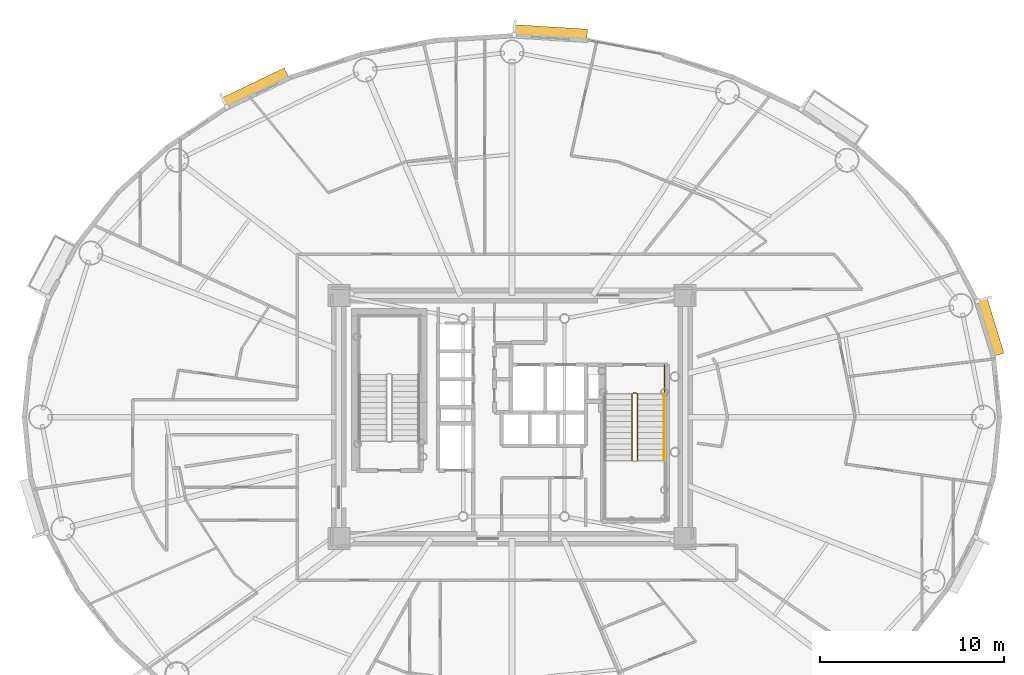
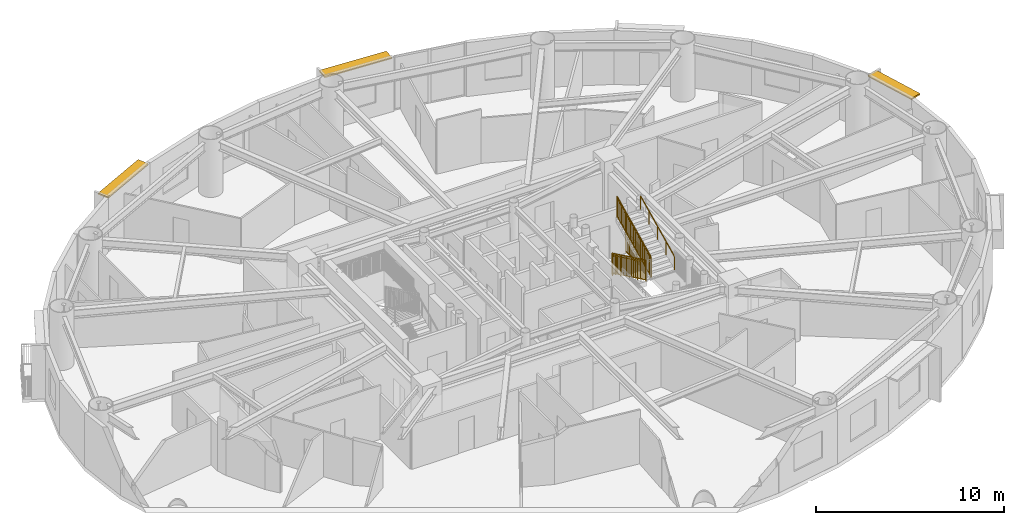
# One storey, part 19 of 20: 5 railings, 3 shading devices.
"""IFC4 building model written with IfcOpenShell, lengths in metres."""

from ifc_helpers import new_model, si_unit, direction, frame, origin, origin_2d, place, context, subcontext, project, spatial, rectangle, extrude, source, transform, mapped, material, layer, layer_set, type_object, element, save


model = new_model("IFC4")

# Units and contexts
model_context = context("Model", 3, precision=1e-05, world=origin(), true_north=direction((0.0, 1.0)))
body_context = subcontext(model_context, "Body", "Model", "MODEL_VIEW")
ifc_project = project(units=[si_unit("LENGTHUNIT", "METRE"), si_unit("AREAUNIT", "SQUARE_METRE"), si_unit("VOLUMEUNIT", "CUBIC_METRE"), si_unit("PLANEANGLEUNIT", "RADIAN"), si_unit("MASSUNIT", "GRAM", prefix="KILO")], contexts=[model_context])

# Site, building, storey
site_placement = place(None, origin())
site = spatial("IfcSite", under=ifc_project, at=site_placement, CompositionType="ELEMENT")
building_placement = place(site_placement, origin())
building = spatial("IfcBuilding", under=site, at=building_placement, Name="Linh Dai School and Residence Tower", CompositionType="ELEMENT")
storey_placement = place(building_placement, frame((0.0, 0.0, 163.64990234375)))
storey = spatial("IfcBuildingStorey", under=building, at=storey_placement, Name="L39", CompositionType="ELEMENT", Elevation=163.64990234375)

# Shading devices
ifc_material_1 = material(Name="Terracotta Ceramic Sunshade", Category="masonry")
ifc_layer = layer(ifc_material_1, 0.10009765625)
ifc_layer_set = layer_set([ifc_layer], Name="Terracotta Ceramic Sunshade")
shading_device_type = type_object("IfcShadingDeviceType", Name="SHD-TC-650", PredefinedType="USERDEFINED", material=ifc_layer_set)
shared_shape_1 = source(origin(), body_context, "Body", "SweptSolid", [
    extrude(rectangle(XDim=3.168212890625, YDim=0.64990234375, at=origin_2d()), origin(), (0.0, 0.0, 1.0), 0.10009765625),
])
shading_device_1_placement = place(storey_placement, frame((61.938720703125, 31.894775390625, 3.380126953125), z_axis=(0.0, 0.0, 1.0), x_axis=(0.293121969301, -0.956075055167, 0.0)))
element("IfcShadingDevice", 1, at=shading_device_1_placement, inside=storey, type_object=shading_device_type, Name="L39 Terracotta Horizontal Sunshade Band 02", ObjectType="SUNSHADE", PredefinedType="USERDEFINED", context=body_context, shape_type="MappedRepresentation", body=[
    mapped(shared_shape_1, transform((0.0, 0.0, 0.0), x_axis=(1.0, 0.0, 0.0), y_axis=(0.0, 1.0, 0.0), z_axis=(0.0, 0.0, 1.0), scale=1.0)),
])
shared_shape_2 = source(origin(), body_context, "Body", "SweptSolid", [
    extrude(rectangle(XDim=3.987548828125, YDim=0.64990234375, at=origin_2d()), origin(), (0.0, 0.0, 1.0), 0.10009765625),
])
shading_device_2_placement = place(storey_placement, frame((38.09033203125, 47.86181640625, 3.380126953125), z_axis=(0.0, 0.0, 1.0), x_axis=(0.99810632076, -0.061512376467, 0.0)))
element("IfcShadingDevice", 2, at=shading_device_2_placement, inside=storey, type_object=shading_device_type, Name="L39 Terracotta Horizontal Sunshade Band 10", ObjectType="SUNSHADE", PredefinedType="USERDEFINED", context=body_context, shape_type="MappedRepresentation", body=[
    mapped(shared_shape_2, transform((0.0, 0.0, 0.0), x_axis=(1.0, 0.0, 0.0), y_axis=(0.0, 1.0, 0.0), z_axis=(0.0, 0.0, 1.0), scale=1.0)),
])
shared_shape_3 = source(origin(), body_context, "Body", "SweptSolid", [
    extrude(rectangle(XDim=3.773193359375, YDim=0.64990234375, at=origin_2d()), origin(), (0.0, 0.0, 1.0), 0.10009765625),
])
shading_device_3_placement = place(storey_placement, frame((22.0751953125, 44.850341796875, 3.380126953125), z_axis=(0.0, 0.0, 1.0), x_axis=(0.901569306779, 0.432634701653, 0.0)))
element("IfcShadingDevice", 3, at=shading_device_3_placement, inside=storey, type_object=shading_device_type, Name="L39 Terracotta Horizontal Sunshade Band 14", ObjectType="SUNSHADE", PredefinedType="USERDEFINED", context=body_context, shape_type="MappedRepresentation", body=[
    mapped(shared_shape_3, transform((0.0, 0.0, 0.0), x_axis=(1.0, 0.0, 0.0), y_axis=(0.0, 1.0, 0.0), z_axis=(0.0, 0.0, 1.0), scale=1.0)),
])

# Railings
ifc_material_2 = material(Name="Structural Steel S355JR", Category="steel")
railing_type_1 = type_object("IfcRailingType", Name="RL-ST-GUARD-1400", PredefinedType="GUARDRAIL", material=ifc_material_2)
shared_shape_4 = source(origin(), body_context, "Body", "SweptSolid", [
    extrude(rectangle(XDim=0.048095703125, YDim=0.048095703125, at=origin_2d()), frame((0.0, 0.0, 1.3759765625), z_axis=(0.0, 0.901262522062, 0.433273431364), x_axis=(-1.0, 0.0, 0.0)), (0.0, 0.0, 1.0), 3.994384765625),
    extrude(rectangle(XDim=0.048095703125, YDim=0.048095703125, at=origin_2d()), frame((0.0, 0.0, 0.10009765625), z_axis=(0.0, 0.901262522062, 0.433273431364), x_axis=(-1.0, 0.0, 0.0)), (0.0, 0.0, 1.0), 3.994384765625),
    extrude(rectangle(XDim=0.030029296875, YDim=0.030029296875, at=origin_2d()), frame((0.0, 0.0, 1.239990234375), z_axis=(0.0, 0.901262522062, 0.433273431364), x_axis=(-1.0, 0.0, 0.0)), (0.0, 0.0, 1.0), 3.994384765625),
    extrude(rectangle(XDim=0.02001953125, YDim=0.02001953125, at=origin_2d()), frame((0.0, 0.087890625, 0.142333984375)), (0.0, 0.0, 1.0), 1.251708984375),
    extrude(rectangle(XDim=0.02001953125, YDim=0.02001953125, at=origin_2d()), frame((0.0, 0.175537109375, 0.1845703125)), (0.0, 0.0, 1.0), 1.251708984375),
    extrude(rectangle(XDim=0.02001953125, YDim=0.02001953125, at=origin_2d()), frame((0.0, 0.263427734375, 0.226806640625)), (0.0, 0.0, 1.0), 1.251708984375),
    extrude(rectangle(XDim=0.02001953125, YDim=0.02001953125, at=origin_2d()), frame((0.0, 0.351318359375, 0.26904296875)), (0.0, 0.0, 1.0), 1.251708984375),
    extrude(rectangle(XDim=0.02001953125, YDim=0.02001953125, at=origin_2d()), frame((0.0, 0.43896484375, 0.311279296875)), (0.0, 0.0, 1.0), 1.251708984375),
    extrude(rectangle(XDim=0.02001953125, YDim=0.02001953125, at=origin_2d()), frame((0.0, 0.52685546875, 0.353271484375)), (0.0, 0.0, 1.0), 1.251708984375),
    extrude(rectangle(XDim=0.02001953125, YDim=0.02001953125, at=origin_2d()), frame((0.0, 0.61474609375, 0.3955078125)), (0.0, 0.0, 1.0), 1.251708984375),
    extrude(rectangle(XDim=0.02001953125, YDim=0.02001953125, at=origin_2d()), frame((0.0, 0.702392578125, 0.437744140625)), (0.0, 0.0, 1.0), 1.251708984375),
    extrude(rectangle(XDim=0.02001953125, YDim=0.02001953125, at=origin_2d()), frame((0.0, 0.790283203125, 0.47998046875)), (0.0, 0.0, 1.0), 1.251708984375),
    extrude(rectangle(XDim=0.02001953125, YDim=0.02001953125, at=origin_2d()), frame((0.0, 0.9658203125, 0.564453125)), (0.0, 0.0, 1.0), 1.251708984375),
    extrude(rectangle(XDim=0.02001953125, YDim=0.02001953125, at=origin_2d()), frame((0.0, 1.0537109375, 0.606689453125)), (0.0, 0.0, 1.0), 1.251708984375),
    extrude(rectangle(XDim=0.02001953125, YDim=0.02001953125, at=origin_2d()), frame((0.0, 1.1416015625, 0.64892578125)), (0.0, 0.0, 1.0), 1.251708984375),
    extrude(rectangle(XDim=0.02001953125, YDim=0.02001953125, at=origin_2d()), frame((0.0, 1.229248046875, 0.691162109375)), (0.0, 0.0, 1.0), 1.251708984375),
    extrude(rectangle(XDim=0.02001953125, YDim=0.02001953125, at=origin_2d()), frame((0.0, 1.317138671875, 0.7333984375)), (0.0, 0.0, 1.0), 1.251708984375),
    extrude(rectangle(XDim=0.02001953125, YDim=0.02001953125, at=origin_2d()), frame((0.0, 1.405029296875, 0.775390625)), (0.0, 0.0, 1.0), 1.251708984375),
    extrude(rectangle(XDim=0.02001953125, YDim=0.02001953125, at=origin_2d()), frame((0.0, 1.49267578125, 0.817626953125)), (0.0, 0.0, 1.0), 1.251708984375),
    extrude(rectangle(XDim=0.02001953125, YDim=0.02001953125, at=origin_2d()), frame((0.0, 1.58056640625, 0.85986328125)), (0.0, 0.0, 1.0), 1.251708984375),
    extrude(rectangle(XDim=0.02001953125, YDim=0.02001953125, at=origin_2d()), frame((0.0, 1.66845703125, 0.902099609375)), (0.0, 0.0, 1.0), 1.251708984375),
    extrude(rectangle(XDim=0.02001953125, YDim=0.02001953125, at=origin_2d()), frame((0.0, 1.756103515625, 0.9443359375)), (0.0, 0.0, 1.0), 1.251708984375),
    extrude(rectangle(XDim=0.02001953125, YDim=0.02001953125, at=origin_2d()), frame((0.0, 1.843994140625, 0.986572265625)), (0.0, 0.0, 1.0), 1.251708984375),
    extrude(rectangle(XDim=0.02001953125, YDim=0.02001953125, at=origin_2d()), frame((0.0, 1.931640625, 1.02880859375)), (0.0, 0.0, 1.0), 1.251708984375),
    extrude(rectangle(XDim=0.02001953125, YDim=0.02001953125, at=origin_2d()), frame((0.0, 2.01953125, 1.071044921875)), (0.0, 0.0, 1.0), 1.251708984375),
    extrude(rectangle(XDim=0.02001953125, YDim=0.02001953125, at=origin_2d()), frame((0.0, 2.107421875, 1.11328125)), (0.0, 0.0, 1.0), 1.251708984375),
    extrude(rectangle(XDim=0.02001953125, YDim=0.02001953125, at=origin_2d()), frame((0.0, 2.195068359375, 1.155517578125)), (0.0, 0.0, 1.0), 1.251708984375),
    extrude(rectangle(XDim=0.02001953125, YDim=0.02001953125, at=origin_2d()), frame((0.0, 2.282958984375, 1.197509765625)), (0.0, 0.0, 1.0), 1.251708984375),
    extrude(rectangle(XDim=0.02001953125, YDim=0.02001953125, at=origin_2d()), frame((0.0, 2.370849609375, 1.23974609375)), (0.0, 0.0, 1.0), 1.251708984375),
    extrude(rectangle(XDim=0.02001953125, YDim=0.02001953125, at=origin_2d()), frame((0.0, 2.45849609375, 1.281982421875)), (0.0, 0.0, 1.0), 1.251708984375),
    extrude(rectangle(XDim=0.02001953125, YDim=0.02001953125, at=origin_2d()), frame((0.0, 2.54638671875, 1.32421875)), (0.0, 0.0, 1.0), 1.251708984375),
    extrude(rectangle(XDim=0.02001953125, YDim=0.02001953125, at=origin_2d()), frame((0.0, 2.63427734375, 1.366455078125)), (0.0, 0.0, 1.0), 1.251708984375),
    extrude(rectangle(XDim=0.02001953125, YDim=0.02001953125, at=origin_2d()), frame((0.0, 2.809814453125, 1.450927734375)), (0.0, 0.0, 1.0), 1.251708984375),
    extrude(rectangle(XDim=0.02001953125, YDim=0.02001953125, at=origin_2d()), frame((0.0, 2.897705078125, 1.4931640625)), (0.0, 0.0, 1.0), 1.251708984375),
    extrude(rectangle(XDim=0.02001953125, YDim=0.02001953125, at=origin_2d()), frame((0.0, 2.9853515625, 1.535400390625)), (0.0, 0.0, 1.0), 1.251708984375),
    extrude(rectangle(XDim=0.02001953125, YDim=0.02001953125, at=origin_2d()), frame((0.0, 3.0732421875, 1.57763671875)), (0.0, 0.0, 1.0), 1.251708984375),
    extrude(rectangle(XDim=0.02001953125, YDim=0.02001953125, at=origin_2d()), frame((0.0, 3.1611328125, 1.61962890625)), (0.0, 0.0, 1.0), 1.251708984375),
    extrude(rectangle(XDim=0.02001953125, YDim=0.02001953125, at=origin_2d()), frame((0.0, 3.248779296875, 1.661865234375)), (0.0, 0.0, 1.0), 1.251708984375),
    extrude(rectangle(XDim=0.02001953125, YDim=0.02001953125, at=origin_2d()), frame((0.0, 3.336669921875, 1.7041015625)), (0.0, 0.0, 1.0), 1.251708984375),
    extrude(rectangle(XDim=0.02001953125, YDim=0.02001953125, at=origin_2d()), frame((0.0, 3.424560546875, 1.746337890625)), (0.0, 0.0, 1.0), 1.251708984375),
    extrude(rectangle(XDim=0.02001953125, YDim=0.02001953125, at=origin_2d()), frame((0.0, 3.51220703125, 1.78857421875)), (0.0, 0.0, 1.0), 1.251708984375),
    extrude(rectangle(XDim=0.0419921875, YDim=0.0419921875, at=origin_2d()), origin(), (0.0, 0.0, 1.0), 1.3759765625),
    extrude(rectangle(XDim=0.0419921875, YDim=0.0419921875, at=origin_2d()), frame((0.0, 0.89990234375, 0.4326171875)), (0.0, 0.0, 1.0), 1.3759765625),
    extrude(rectangle(XDim=0.0419921875, YDim=0.0419921875, at=origin_2d()), frame((0.0, 1.800048828125, 0.865234375)), (0.0, 0.0, 1.0), 1.3759765625),
    extrude(rectangle(XDim=0.0419921875, YDim=0.0419921875, at=origin_2d()), frame((0.0, 2.7001953125, 1.298095703125)), (0.0, 0.0, 1.0), 1.3759765625),
    extrude(rectangle(XDim=0.0419921875, YDim=0.0419921875, at=origin_2d()), frame((0.0, 3.60009765625, 1.730712890625)), (0.0, 0.0, 1.0), 1.3759765625),
])
railing_1_placement = place(storey_placement, frame((42.820068359375, 24.64990234375, 2.019287109375)))
element("IfcRailing", 4, at=railing_1_placement, inside=storey, type_object=railing_type_1, Name="L39 ST2 stair guard 6", PredefinedType="GUARDRAIL", context=body_context, shape_type="MappedRepresentation", body=[
    mapped(shared_shape_4, transform((0.0, 0.0, 0.0), x_axis=(1.0, 0.0, 0.0), y_axis=(0.0, 1.0, 0.0), z_axis=(0.0, 0.0, 1.0), scale=1.0)),
])
shared_shape_5 = source(origin(), body_context, "Body", "SweptSolid", [
    extrude(rectangle(XDim=0.048095703125, YDim=0.048095703125, at=origin_2d()), frame((0.0, 0.0, 1.3759765625), z_axis=(0.0, -0.901262522062, 0.433273431364), x_axis=(1.0, 0.0, 0.0)), (0.0, 0.0, 1.0), 3.994384765625),
    extrude(rectangle(XDim=0.048095703125, YDim=0.048095703125, at=origin_2d()), frame((0.0, 0.0, 0.10009765625), z_axis=(0.0, -0.901262522062, 0.433273431364), x_axis=(1.0, 0.0, 0.0)), (0.0, 0.0, 1.0), 3.994384765625),
    extrude(rectangle(XDim=0.030029296875, YDim=0.030029296875, at=origin_2d()), frame((0.0, 0.0, 1.239990234375), z_axis=(0.0, -0.901262522062, 0.433273431364), x_axis=(1.0, 0.0, 0.0)), (0.0, 0.0, 1.0), 3.994384765625),
    extrude(rectangle(XDim=0.02001953125, YDim=0.02001953125, at=origin_2d()), frame((0.0, -0.087890625, 0.142333984375)), (0.0, 0.0, 1.0), 1.251708984375),
    extrude(rectangle(XDim=0.02001953125, YDim=0.02001953125, at=origin_2d()), frame((0.0, -0.175537109375, 0.1845703125)), (0.0, 0.0, 1.0), 1.251708984375),
    extrude(rectangle(XDim=0.02001953125, YDim=0.02001953125, at=origin_2d()), frame((0.0, -0.263427734375, 0.226806640625)), (0.0, 0.0, 1.0), 1.251708984375),
    extrude(rectangle(XDim=0.02001953125, YDim=0.02001953125, at=origin_2d()), frame((0.0, -0.351318359375, 0.26904296875)), (0.0, 0.0, 1.0), 1.251708984375),
    extrude(rectangle(XDim=0.02001953125, YDim=0.02001953125, at=origin_2d()), frame((0.0, -0.43896484375, 0.311279296875)), (0.0, 0.0, 1.0), 1.251708984375),
    extrude(rectangle(XDim=0.02001953125, YDim=0.02001953125, at=origin_2d()), frame((0.0, -0.52685546875, 0.353271484375)), (0.0, 0.0, 1.0), 1.251708984375),
    extrude(rectangle(XDim=0.02001953125, YDim=0.02001953125, at=origin_2d()), frame((0.0, -0.61474609375, 0.3955078125)), (0.0, 0.0, 1.0), 1.251708984375),
    extrude(rectangle(XDim=0.02001953125, YDim=0.02001953125, at=origin_2d()), frame((0.0, -0.702392578125, 0.437744140625)), (0.0, 0.0, 1.0), 1.251708984375),
    extrude(rectangle(XDim=0.02001953125, YDim=0.02001953125, at=origin_2d()), frame((0.0, -0.790283203125, 0.47998046875)), (0.0, 0.0, 1.0), 1.251708984375),
    extrude(rectangle(XDim=0.02001953125, YDim=0.02001953125, at=origin_2d()), frame((0.0, -0.9658203125, 0.564453125)), (0.0, 0.0, 1.0), 1.251708984375),
    extrude(rectangle(XDim=0.02001953125, YDim=0.02001953125, at=origin_2d()), frame((0.0, -1.0537109375, 0.606689453125)), (0.0, 0.0, 1.0), 1.251708984375),
    extrude(rectangle(XDim=0.02001953125, YDim=0.02001953125, at=origin_2d()), frame((0.0, -1.1416015625, 0.64892578125)), (0.0, 0.0, 1.0), 1.251708984375),
    extrude(rectangle(XDim=0.02001953125, YDim=0.02001953125, at=origin_2d()), frame((0.0, -1.229248046875, 0.691162109375)), (0.0, 0.0, 1.0), 1.251708984375),
    extrude(rectangle(XDim=0.02001953125, YDim=0.02001953125, at=origin_2d()), frame((0.0, -1.317138671875, 0.7333984375)), (0.0, 0.0, 1.0), 1.251708984375),
    extrude(rectangle(XDim=0.02001953125, YDim=0.02001953125, at=origin_2d()), frame((0.0, -1.405029296875, 0.775390625)), (0.0, 0.0, 1.0), 1.251708984375),
    extrude(rectangle(XDim=0.02001953125, YDim=0.02001953125, at=origin_2d()), frame((0.0, -1.49267578125, 0.817626953125)), (0.0, 0.0, 1.0), 1.251708984375),
    extrude(rectangle(XDim=0.02001953125, YDim=0.02001953125, at=origin_2d()), frame((0.0, -1.58056640625, 0.85986328125)), (0.0, 0.0, 1.0), 1.251708984375),
    extrude(rectangle(XDim=0.02001953125, YDim=0.02001953125, at=origin_2d()), frame((0.0, -1.66845703125, 0.902099609375)), (0.0, 0.0, 1.0), 1.251708984375),
    extrude(rectangle(XDim=0.02001953125, YDim=0.02001953125, at=origin_2d()), frame((0.0, -1.756103515625, 0.9443359375)), (0.0, 0.0, 1.0), 1.251708984375),
    extrude(rectangle(XDim=0.02001953125, YDim=0.02001953125, at=origin_2d()), frame((0.0, -1.843994140625, 0.986572265625)), (0.0, 0.0, 1.0), 1.251708984375),
    extrude(rectangle(XDim=0.02001953125, YDim=0.02001953125, at=origin_2d()), frame((0.0, -1.931640625, 1.02880859375)), (0.0, 0.0, 1.0), 1.251708984375),
    extrude(rectangle(XDim=0.02001953125, YDim=0.02001953125, at=origin_2d()), frame((0.0, -2.01953125, 1.071044921875)), (0.0, 0.0, 1.0), 1.251708984375),
    extrude(rectangle(XDim=0.02001953125, YDim=0.02001953125, at=origin_2d()), frame((0.0, -2.107421875, 1.11328125)), (0.0, 0.0, 1.0), 1.251708984375),
    extrude(rectangle(XDim=0.02001953125, YDim=0.02001953125, at=origin_2d()), frame((0.0, -2.195068359375, 1.155517578125)), (0.0, 0.0, 1.0), 1.251708984375),
    extrude(rectangle(XDim=0.02001953125, YDim=0.02001953125, at=origin_2d()), frame((0.0, -2.282958984375, 1.197509765625)), (0.0, 0.0, 1.0), 1.251708984375),
    extrude(rectangle(XDim=0.02001953125, YDim=0.02001953125, at=origin_2d()), frame((0.0, -2.370849609375, 1.23974609375)), (0.0, 0.0, 1.0), 1.251708984375),
    extrude(rectangle(XDim=0.02001953125, YDim=0.02001953125, at=origin_2d()), frame((0.0, -2.45849609375, 1.281982421875)), (0.0, 0.0, 1.0), 1.251708984375),
    extrude(rectangle(XDim=0.02001953125, YDim=0.02001953125, at=origin_2d()), frame((0.0, -2.54638671875, 1.32421875)), (0.0, 0.0, 1.0), 1.251708984375),
    extrude(rectangle(XDim=0.02001953125, YDim=0.02001953125, at=origin_2d()), frame((0.0, -2.63427734375, 1.366455078125)), (0.0, 0.0, 1.0), 1.251708984375),
    extrude(rectangle(XDim=0.02001953125, YDim=0.02001953125, at=origin_2d()), frame((0.0, -2.809814453125, 1.450927734375)), (0.0, 0.0, 1.0), 1.251708984375),
    extrude(rectangle(XDim=0.02001953125, YDim=0.02001953125, at=origin_2d()), frame((0.0, -2.897705078125, 1.4931640625)), (0.0, 0.0, 1.0), 1.251708984375),
    extrude(rectangle(XDim=0.02001953125, YDim=0.02001953125, at=origin_2d()), frame((0.0, -2.9853515625, 1.535400390625)), (0.0, 0.0, 1.0), 1.251708984375),
    extrude(rectangle(XDim=0.02001953125, YDim=0.02001953125, at=origin_2d()), frame((0.0, -3.0732421875, 1.57763671875)), (0.0, 0.0, 1.0), 1.251708984375),
    extrude(rectangle(XDim=0.02001953125, YDim=0.02001953125, at=origin_2d()), frame((0.0, -3.1611328125, 1.61962890625)), (0.0, 0.0, 1.0), 1.251708984375),
    extrude(rectangle(XDim=0.02001953125, YDim=0.02001953125, at=origin_2d()), frame((0.0, -3.248779296875, 1.661865234375)), (0.0, 0.0, 1.0), 1.251708984375),
    extrude(rectangle(XDim=0.02001953125, YDim=0.02001953125, at=origin_2d()), frame((0.0, -3.336669921875, 1.7041015625)), (0.0, 0.0, 1.0), 1.251708984375),
    extrude(rectangle(XDim=0.02001953125, YDim=0.02001953125, at=origin_2d()), frame((0.0, -3.424560546875, 1.746337890625)), (0.0, 0.0, 1.0), 1.251708984375),
    extrude(rectangle(XDim=0.02001953125, YDim=0.02001953125, at=origin_2d()), frame((0.0, -3.51220703125, 1.78857421875)), (0.0, 0.0, 1.0), 1.251708984375),
    extrude(rectangle(XDim=0.0419921875, YDim=0.0419921875, at=origin_2d()), origin(), (0.0, 0.0, 1.0), 1.3759765625),
    extrude(rectangle(XDim=0.0419921875, YDim=0.0419921875, at=origin_2d()), frame((0.0, -0.89990234375, 0.4326171875)), (0.0, 0.0, 1.0), 1.3759765625),
    extrude(rectangle(XDim=0.0419921875, YDim=0.0419921875, at=origin_2d()), frame((0.0, -1.800048828125, 0.865234375)), (0.0, 0.0, 1.0), 1.3759765625),
    extrude(rectangle(XDim=0.0419921875, YDim=0.0419921875, at=origin_2d()), frame((0.0, -2.7001953125, 1.298095703125)), (0.0, 0.0, 1.0), 1.3759765625),
    extrude(rectangle(XDim=0.0419921875, YDim=0.0419921875, at=origin_2d()), frame((0.0, -3.60009765625, 1.730712890625)), (0.0, 0.0, 1.0), 1.3759765625),
])
railing_2_placement = place(storey_placement, frame((42.52001953125, 28.25, 0.144287109375)))
element("IfcRailing", 5, at=railing_2_placement, inside=storey, type_object=railing_type_1, Name="L39 ST2 stair guard 1", PredefinedType="GUARDRAIL", context=body_context, shape_type="MappedRepresentation", body=[
    mapped(shared_shape_5, transform((0.0, 0.0, 0.0), x_axis=(1.0, 0.0, 0.0), y_axis=(0.0, 1.0, 0.0), z_axis=(0.0, 0.0, 1.0), scale=1.0)),
])
ifc_material_3 = material(Name="Brushed Stainless Steel Handrail", Category="steel")
railing_type_2 = type_object("IfcRailingType", Name="RL-ST-HANDRAIL-900", PredefinedType="HANDRAIL", material=ifc_material_3)
shared_shape_6 = source(origin(), body_context, "Body", "SweptSolid", [
    extrude(rectangle(XDim=0.048095703125, YDim=0.048095703125, at=origin_2d()), frame((0.0, 0.0, 0.8759765625), z_axis=(0.0, 0.901262522062, 0.433273431364), x_axis=(-1.0, 0.0, 0.0)), (0.0, 0.0, 1.0), 3.994384765625),
    extrude(rectangle(XDim=0.0419921875, YDim=0.0419921875, at=origin_2d()), origin(), (0.0, 0.0, 1.0), 0.8759765625),
    extrude(rectangle(XDim=0.0419921875, YDim=0.0419921875, at=origin_2d()), frame((0.0, 0.89990234375, 0.4326171875)), (0.0, 0.0, 1.0), 0.8759765625),
    extrude(rectangle(XDim=0.0419921875, YDim=0.0419921875, at=origin_2d()), frame((0.0, 1.800048828125, 0.865234375)), (0.0, 0.0, 1.0), 0.8759765625),
    extrude(rectangle(XDim=0.0419921875, YDim=0.0419921875, at=origin_2d()), frame((0.0, 2.7001953125, 1.298095703125)), (0.0, 0.0, 1.0), 0.8759765625),
    extrude(rectangle(XDim=0.0419921875, YDim=0.0419921875, at=origin_2d()), frame((0.0, 3.60009765625, 1.730712890625)), (0.0, 0.0, 1.0), 0.8759765625),
])
railing_3_placement = place(storey_placement, frame((44.27001953125, 24.64990234375, 2.019287109375)))
element("IfcRailing", 6, at=railing_3_placement, inside=storey, type_object=railing_type_2, Name="L39 ST2 stair handrail 2", PredefinedType="HANDRAIL", context=body_context, shape_type="MappedRepresentation", body=[
    mapped(shared_shape_6, transform((0.0, 0.0, 0.0), x_axis=(1.0, 0.0, 0.0), y_axis=(0.0, 1.0, 0.0), z_axis=(0.0, 0.0, 1.0), scale=1.0)),
])
shared_shape_7 = source(origin(), body_context, "Body", "SweptSolid", [
    extrude(rectangle(XDim=0.048095703125, YDim=0.048095703125, at=origin_2d()), frame((0.0, 0.0, 1.3759765625), z_axis=(1.0, 0.0, 0.0), x_axis=(0.0, 1.0, 0.0)), (0.0, 0.0, 1.0), 0.199951171875),
    extrude(rectangle(XDim=0.048095703125, YDim=0.048095703125, at=origin_2d()), frame((0.0, 0.0, 0.10009765625), z_axis=(1.0, 0.0, 0.0), x_axis=(0.0, 1.0, 0.0)), (0.0, 0.0, 1.0), 0.199951171875),
    extrude(rectangle(XDim=0.030029296875, YDim=0.030029296875, at=origin_2d()), frame((0.0, 0.0, 1.239990234375), z_axis=(1.0, 0.0, 0.0), x_axis=(0.0, 1.0, 0.0)), (0.0, 0.0, 1.0), 0.199951171875),
    extrude(rectangle(XDim=0.0419921875, YDim=0.0419921875, at=origin_2d()), origin(), (0.0, 0.0, 1.0), 1.3759765625),
    extrude(rectangle(XDim=0.0419921875, YDim=0.0419921875, at=origin_2d()), frame((0.199951171875, 0.0, 0.0)), (0.0, 0.0, 1.0), 1.3759765625),
])
railing_4_placement = place(storey_placement, frame((42.570068359375, 28.300048828125, 0.0)))
element("IfcRailing", 7, at=railing_4_placement, inside=storey, type_object=railing_type_1, Name="L39 ST2 stair guard 7", PredefinedType="GUARDRAIL", context=body_context, shape_type="MappedRepresentation", body=[
    mapped(shared_shape_7, transform((0.0, 0.0, 0.0), x_axis=(1.0, 0.0, 0.0), y_axis=(0.0, 1.0, 0.0), z_axis=(0.0, 0.0, 1.0), scale=1.0)),
])
shared_shape_8 = source(origin(), body_context, "Body", "SweptSolid", [
    extrude(rectangle(XDim=0.048095703125, YDim=0.048095703125, at=origin_2d()), frame((0.0, 0.0, 1.3759765625), z_axis=(0.0, -1.0, 0.0), x_axis=(1.0, 0.0, 0.0)), (0.0, 0.0, 1.0), 1.60009765625),
    extrude(rectangle(XDim=0.048095703125, YDim=0.048095703125, at=origin_2d()), frame((0.0, 0.0, 0.10009765625), z_axis=(0.0, -1.0, 0.0), x_axis=(1.0, 0.0, 0.0)), (0.0, 0.0, 1.0), 1.60009765625),
    extrude(rectangle(XDim=0.030029296875, YDim=0.030029296875, at=origin_2d()), frame((0.0, 0.0, 1.239990234375), z_axis=(0.0, -1.0, 0.0), x_axis=(1.0, 0.0, 0.0)), (0.0, 0.0, 1.0), 1.60009765625),
    extrude(rectangle(XDim=0.02001953125, YDim=0.02001953125, at=origin_2d()), frame((0.0, -0.09423828125, 0.10009765625)), (0.0, 0.0, 1.0), 1.251708984375),
    extrude(rectangle(XDim=0.02001953125, YDim=0.02001953125, at=origin_2d()), frame((0.0, -0.188232421875, 0.10009765625)), (0.0, 0.0, 1.0), 1.251708984375),
    extrude(rectangle(XDim=0.02001953125, YDim=0.02001953125, at=origin_2d()), frame((0.0, -0.282470703125, 0.10009765625)), (0.0, 0.0, 1.0), 1.251708984375),
    extrude(rectangle(XDim=0.02001953125, YDim=0.02001953125, at=origin_2d()), frame((0.0, -0.37646484375, 0.10009765625)), (0.0, 0.0, 1.0), 1.251708984375),
    extrude(rectangle(XDim=0.02001953125, YDim=0.02001953125, at=origin_2d()), frame((0.0, -0.470703125, 0.10009765625)), (0.0, 0.0, 1.0), 1.251708984375),
    extrude(rectangle(XDim=0.02001953125, YDim=0.02001953125, at=origin_2d()), frame((0.0, -0.564697265625, 0.10009765625)), (0.0, 0.0, 1.0), 1.251708984375),
    extrude(rectangle(XDim=0.02001953125, YDim=0.02001953125, at=origin_2d()), frame((0.0, -0.658935546875, 0.10009765625)), (0.0, 0.0, 1.0), 1.251708984375),
    extrude(rectangle(XDim=0.02001953125, YDim=0.02001953125, at=origin_2d()), frame((0.0, -0.7529296875, 0.10009765625)), (0.0, 0.0, 1.0), 1.251708984375),
    extrude(rectangle(XDim=0.02001953125, YDim=0.02001953125, at=origin_2d()), frame((0.0, -0.84716796875, 0.10009765625)), (0.0, 0.0, 1.0), 1.251708984375),
    extrude(rectangle(XDim=0.02001953125, YDim=0.02001953125, at=origin_2d()), frame((0.0, -0.941162109375, 0.10009765625)), (0.0, 0.0, 1.0), 1.251708984375),
    extrude(rectangle(XDim=0.02001953125, YDim=0.02001953125, at=origin_2d()), frame((0.0, -1.035400390625, 0.10009765625)), (0.0, 0.0, 1.0), 1.251708984375),
    extrude(rectangle(XDim=0.02001953125, YDim=0.02001953125, at=origin_2d()), frame((0.0, -1.12939453125, 0.10009765625)), (0.0, 0.0, 1.0), 1.251708984375),
    extrude(rectangle(XDim=0.02001953125, YDim=0.02001953125, at=origin_2d()), frame((0.0, -1.2236328125, 0.10009765625)), (0.0, 0.0, 1.0), 1.251708984375),
    extrude(rectangle(XDim=0.02001953125, YDim=0.02001953125, at=origin_2d()), frame((0.0, -1.317626953125, 0.10009765625)), (0.0, 0.0, 1.0), 1.251708984375),
    extrude(rectangle(XDim=0.02001953125, YDim=0.02001953125, at=origin_2d()), frame((0.0, -1.411865234375, 0.10009765625)), (0.0, 0.0, 1.0), 1.251708984375),
    extrude(rectangle(XDim=0.02001953125, YDim=0.02001953125, at=origin_2d()), frame((0.0, -1.505859375, 0.10009765625)), (0.0, 0.0, 1.0), 1.251708984375),
    extrude(rectangle(XDim=0.0419921875, YDim=0.0419921875, at=origin_2d()), origin(), (0.0, 0.0, 1.0), 1.3759765625),
    extrude(rectangle(XDim=0.0419921875, YDim=0.0419921875, at=origin_2d()), frame((0.0, -0.800048828125, 0.0)), (0.0, 0.0, 1.0), 1.3759765625),
    extrude(rectangle(XDim=0.0419921875, YDim=0.0419921875, at=origin_2d()), frame((0.0, -1.60009765625, 0.0)), (0.0, 0.0, 1.0), 1.3759765625),
])
railing_5_placement = place(storey_placement, frame((44.27001953125, 29.85009765625, 0.0)))
element("IfcRailing", 8, at=railing_5_placement, inside=storey, type_object=railing_type_1, Name="L39 ST2 stair guard 9", PredefinedType="GUARDRAIL", context=body_context, shape_type="MappedRepresentation", body=[
    mapped(shared_shape_8, transform((0.0, 0.0, 0.0), x_axis=(1.0, 0.0, 0.0), y_axis=(0.0, 1.0, 0.0), z_axis=(0.0, 0.0, 1.0), scale=1.0)),
])

save(model, "model.ifc")
